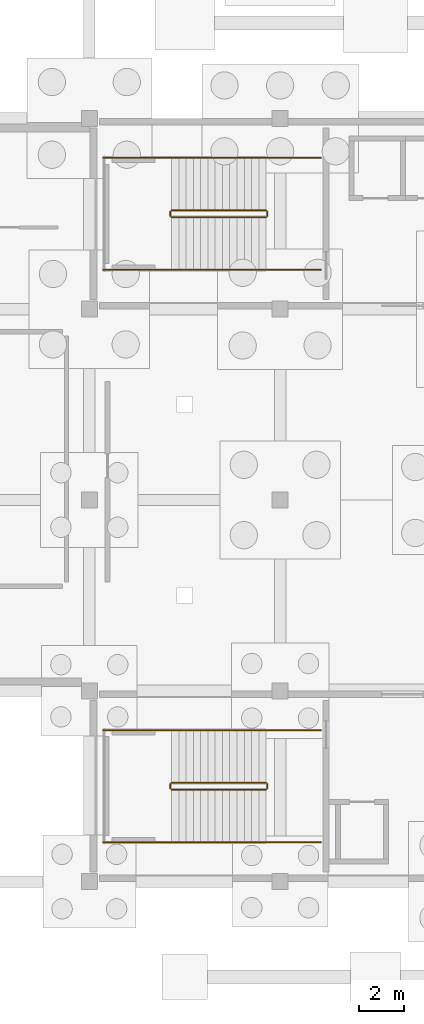
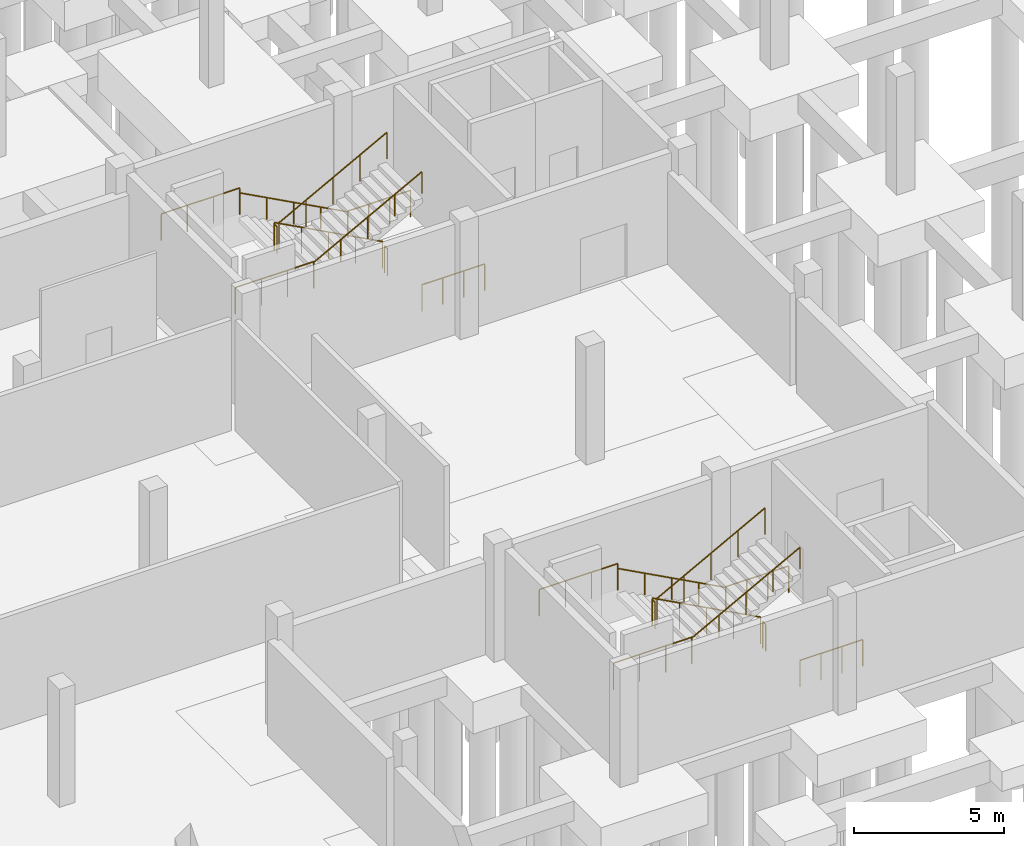
# One storey, part 24 of 24: 20 railings.
"""IFC4 building model written with IfcOpenShell, lengths in metres."""

from ifc_helpers import new_model, si_unit, derived_unit, direction, frame, origin, origin_2d, place, context, subcontext, project, spatial, circle, extrude, material, type_object, element, save


model = new_model("IFC4")

# Units and contexts
model_context = context("Model", 3, precision=1e-05, world=origin(), true_north=direction((0.0, 1.0)))
body_context = subcontext(model_context, "Body", "Model", "MODEL_VIEW")
ifc_project = project(units=[si_unit("LENGTHUNIT", "METRE"), si_unit("AREAUNIT", "SQUARE_METRE"), si_unit("VOLUMEUNIT", "CUBIC_METRE"), si_unit("PLANEANGLEUNIT", "RADIAN"), si_unit("MASSUNIT", "GRAM", prefix="KILO"), derived_unit("THERMALTRANSMITTANCEUNIT", [(si_unit("POWERUNIT", "WATT"), 1), (si_unit("LENGTHUNIT", "METRE"), -2), (si_unit("THERMODYNAMICTEMPERATUREUNIT", "KELVIN"), -1)])], contexts=[model_context])

# Site, building, storey
site_placement = place(None, origin())
site = spatial("IfcSite", under=ifc_project, at=site_placement, CompositionType="ELEMENT")
building_placement = place(site_placement, origin())
building = spatial("IfcBuilding", under=site, at=building_placement, Name="Elbkamm Science Centre", CompositionType="ELEMENT")
storey_placement = place(building_placement, frame((0.0, 0.0, -4.800048828125)))
storey = spatial("IfcBuildingStorey", under=building, at=storey_placement, Name="B01", CompositionType="ELEMENT", Elevation=-4.800048828125)

# Railings
ifc_material = material(Name="Stainless steel EN 1.4401", Category="steel")
railing_type_1 = type_object("IfcRailingType", Name="RAIL-GUARD-1100", PredefinedType="GUARDRAIL", material=ifc_material)
railing_1_placement = place(storey_placement, frame((133.780029296875, 54.75, 0.17138671875)))
element("IfcRailing", 1, at=railing_1_placement, inside=storey, type_object=railing_type_1, Name="B01 ST-C3 stair guard 1", PredefinedType="GUARDRAIL", context=body_context, shape_type="SweptSolid", body=[
    extrude(circle(Radius=0.02392578125, at=origin_2d()), frame((0.0, 0.0, 1.078125), z_axis=(-0.881459204653, 0.0, 0.472260172503), x_axis=(0.0, -1.0, 0.0)), (0.0, 0.0, 1.0), 4.71923828125),
    extrude(circle(Radius=0.02001953125, at=origin_2d()), origin(), (0.0, 0.0, 1.0), 1.048095703125),
    extrude(circle(Radius=0.02001953125, at=origin_2d()), frame((-1.0400390625, 0.0, 0.55712890625)), (0.0, 0.0, 1.0), 1.048095703125),
    extrude(circle(Radius=0.02001953125, at=origin_2d()), frame((-2.080078125, 0.0, 1.1142578125)), (0.0, 0.0, 1.0), 1.048095703125),
    extrude(circle(Radius=0.02001953125, at=origin_2d()), frame((-3.119873046875, 0.0, 1.671630859375)), (0.0, 0.0, 1.0), 1.048095703125),
    extrude(circle(Radius=0.02001953125, at=origin_2d()), frame((-4.159912109375, 0.0, 2.228759765625)), (0.0, 0.0, 1.0), 1.048095703125),
])
railing_2_placement = place(storey_placement, frame((129.570068359375, 54.699951171875, 2.400146484375)))
element("IfcRailing", 2, at=railing_2_placement, inside=storey, type_object=railing_type_1, Name="B01 ST-C3 stair guard 2", PredefinedType="GUARDRAIL", context=body_context, shape_type="SweptSolid", body=[
    extrude(circle(Radius=0.02392578125, at=origin_2d()), frame((0.0, 0.0, 1.078125), z_axis=(0.0, -1.0, 0.0), x_axis=(1.0, 0.0, 0.0)), (0.0, 0.0, 1.0), 0.199951171875),
    extrude(circle(Radius=0.02001953125, at=origin_2d()), origin(), (0.0, 0.0, 1.0), 1.048095703125),
    extrude(circle(Radius=0.02001953125, at=origin_2d()), frame((0.0, -0.199951171875, 0.0)), (0.0, 0.0, 1.0), 1.048095703125),
])
for number, where, name in (
    (3, (129.6201171875, 57.070068359375, 2.400146484375), "B01 ST-C3 stair guard 3"),
    (4, (129.6201171875, 52.1298828125, 2.400146484375), "B01 ST-C3 stair guard 4"),
):
    element("IfcRailing", number, at=place(storey_placement, frame(where)), inside=storey, type_object=railing_type_1, Name=name, PredefinedType="GUARDRAIL", context=body_context, shape_type="SweptSolid", body=[
        extrude(circle(Radius=0.02392578125, at=origin_2d()), frame((0.0, 0.0, 1.078125), z_axis=(-1.0, 0.0, 0.0), x_axis=(0.0, -1.0, 0.0)), (0.0, 0.0, 1.0), 3.02001953125),
        extrude(circle(Radius=0.02001953125, at=origin_2d()), origin(), (0.0, 0.0, 1.0), 1.048095703125),
        extrude(circle(Radius=0.02001953125, at=origin_2d()), frame((-1.006591796875, 0.0, 0.0)), (0.0, 0.0, 1.0), 1.048095703125),
        extrude(circle(Radius=0.02001953125, at=origin_2d()), frame((-2.013427734375, 0.0, 0.0)), (0.0, 0.0, 1.0), 1.048095703125),
        extrude(circle(Radius=0.02001953125, at=origin_2d()), frame((-3.02001953125, 0.0, 0.0)), (0.0, 0.0, 1.0), 1.048095703125),
    ])
railing_3_placement = place(storey_placement, frame((129.6201171875, 54.449951171875, 2.571533203125)))
element("IfcRailing", 5, at=railing_3_placement, inside=storey, type_object=railing_type_1, Name="B01 ST-C3 stair guard 6", PredefinedType="GUARDRAIL", context=body_context, shape_type="SweptSolid", body=[
    extrude(circle(Radius=0.02392578125, at=origin_2d()), frame((0.0, 0.0, 1.078125), z_axis=(0.881480739103, 0.0, 0.472219976908), x_axis=(0.0, 1.0, 0.0)), (0.0, 0.0, 1.0), 4.71923828125),
    extrude(circle(Radius=0.02001953125, at=origin_2d()), origin(), (0.0, 0.0, 1.0), 1.048095703125),
    extrude(circle(Radius=0.02001953125, at=origin_2d()), frame((1.0400390625, 0.0, 0.55712890625)), (0.0, 0.0, 1.0), 1.048095703125),
    extrude(circle(Radius=0.02001953125, at=origin_2d()), frame((2.080078125, 0.0, 1.1142578125)), (0.0, 0.0, 1.0), 1.048095703125),
    extrude(circle(Radius=0.02001953125, at=origin_2d()), frame((3.119873046875, 0.0, 1.67138671875)), (0.0, 0.0, 1.0), 1.048095703125),
    extrude(circle(Radius=0.02001953125, at=origin_2d()), frame((4.159912109375, 0.0, 2.228515625)), (0.0, 0.0, 1.0), 1.048095703125),
])
railing_4_placement = place(storey_placement, frame((133.830078125, 54.699951171875, 0.0)))
element("IfcRailing", 6, at=railing_4_placement, inside=storey, type_object=railing_type_1, Name="B01 ST-C3 stair guard 7", PredefinedType="GUARDRAIL", context=body_context, shape_type="SweptSolid", body=[
    extrude(circle(Radius=0.02392578125, at=origin_2d()), frame((0.0, 0.0, 1.078125), z_axis=(0.0, -1.0, 0.0), x_axis=(1.0, 0.0, 0.0)), (0.0, 0.0, 1.0), 0.199951171875),
    extrude(circle(Radius=0.02001953125, at=origin_2d()), origin(), (0.0, 0.0, 1.0), 1.048095703125),
    extrude(circle(Radius=0.02001953125, at=origin_2d()), frame((0.0, -0.199951171875, 0.0)), (0.0, 0.0, 1.0), 1.048095703125),
])
for number, where, name in (
    (7, (136.199951171875, 57.070068359375, 0.0), "B01 ST-C3 stair guard 8"),
    (8, (136.199951171875, 52.1298828125, 0.0), "B01 ST-C3 stair guard 9"),
):
    element("IfcRailing", number, at=place(storey_placement, frame(where)), inside=storey, type_object=railing_type_1, Name=name, PredefinedType="GUARDRAIL", context=body_context, shape_type="SweptSolid", body=[
        extrude(circle(Radius=0.02392578125, at=origin_2d()), frame((0.0, 0.0, 1.078125), z_axis=(-1.0, 0.0, 0.0), x_axis=(0.0, -1.0, 0.0)), (0.0, 0.0, 1.0), 2.419921875),
        extrude(circle(Radius=0.02001953125, at=origin_2d()), origin(), (0.0, 0.0, 1.0), 1.048095703125),
        extrude(circle(Radius=0.02001953125, at=origin_2d()), frame((-0.806640625, 0.0, 0.0)), (0.0, 0.0, 1.0), 1.048095703125),
        extrude(circle(Radius=0.02001953125, at=origin_2d()), frame((-1.61328125, 0.0, 0.0)), (0.0, 0.0, 1.0), 1.048095703125),
        extrude(circle(Radius=0.02001953125, at=origin_2d()), frame((-2.419921875, 0.0, 0.0)), (0.0, 0.0, 1.0), 1.048095703125),
    ])
railing_5_placement = place(storey_placement, frame((133.780029296875, 29.550048828125, 0.17138671875)))
element("IfcRailing", 9, at=railing_5_placement, inside=storey, type_object=railing_type_1, Name="B01 ST-C4 stair guard 1", PredefinedType="GUARDRAIL", context=body_context, shape_type="SweptSolid", body=[
    extrude(circle(Radius=0.02392578125, at=origin_2d()), frame((0.0, 0.0, 1.078125), z_axis=(-0.881459204653, 0.0, 0.472260172503), x_axis=(0.0, -1.0, 0.0)), (0.0, 0.0, 1.0), 4.71923828125),
    extrude(circle(Radius=0.02001953125, at=origin_2d()), origin(), (0.0, 0.0, 1.0), 1.048095703125),
    extrude(circle(Radius=0.02001953125, at=origin_2d()), frame((-1.0400390625, 0.0, 0.55712890625)), (0.0, 0.0, 1.0), 1.048095703125),
    extrude(circle(Radius=0.02001953125, at=origin_2d()), frame((-2.080078125, 0.0, 1.1142578125)), (0.0, 0.0, 1.0), 1.048095703125),
    extrude(circle(Radius=0.02001953125, at=origin_2d()), frame((-3.119873046875, 0.0, 1.671630859375)), (0.0, 0.0, 1.0), 1.048095703125),
    extrude(circle(Radius=0.02001953125, at=origin_2d()), frame((-4.159912109375, 0.0, 2.228759765625)), (0.0, 0.0, 1.0), 1.048095703125),
])
railing_6_placement = place(storey_placement, frame((129.570068359375, 29.5, 2.400146484375)))
element("IfcRailing", 10, at=railing_6_placement, inside=storey, type_object=railing_type_1, Name="B01 ST-C4 stair guard 2", PredefinedType="GUARDRAIL", context=body_context, shape_type="SweptSolid", body=[
    extrude(circle(Radius=0.02392578125, at=origin_2d()), frame((0.0, 0.0, 1.078125), z_axis=(0.0, -1.0, 0.0), x_axis=(1.0, 0.0, 0.0)), (0.0, 0.0, 1.0), 0.199951171875),
    extrude(circle(Radius=0.02001953125, at=origin_2d()), origin(), (0.0, 0.0, 1.0), 1.048095703125),
    extrude(circle(Radius=0.02001953125, at=origin_2d()), frame((0.0, -0.199951171875, 0.0)), (0.0, 0.0, 1.0), 1.048095703125),
])
for number, where, name in (
    (11, (129.6201171875, 31.8701171875, 2.400146484375), "B01 ST-C4 stair guard 3"),
    (12, (129.6201171875, 26.929931640625, 2.400146484375), "B01 ST-C4 stair guard 4"),
):
    element("IfcRailing", number, at=place(storey_placement, frame(where)), inside=storey, type_object=railing_type_1, Name=name, PredefinedType="GUARDRAIL", context=body_context, shape_type="SweptSolid", body=[
        extrude(circle(Radius=0.02392578125, at=origin_2d()), frame((0.0, 0.0, 1.078125), z_axis=(-1.0, 0.0, 0.0), x_axis=(0.0, -1.0, 0.0)), (0.0, 0.0, 1.0), 3.02001953125),
        extrude(circle(Radius=0.02001953125, at=origin_2d()), origin(), (0.0, 0.0, 1.0), 1.048095703125),
        extrude(circle(Radius=0.02001953125, at=origin_2d()), frame((-1.006591796875, 0.0, 0.0)), (0.0, 0.0, 1.0), 1.048095703125),
        extrude(circle(Radius=0.02001953125, at=origin_2d()), frame((-2.013427734375, 0.0, 0.0)), (0.0, 0.0, 1.0), 1.048095703125),
        extrude(circle(Radius=0.02001953125, at=origin_2d()), frame((-3.02001953125, 0.0, 0.0)), (0.0, 0.0, 1.0), 1.048095703125),
    ])
railing_7_placement = place(storey_placement, frame((129.6201171875, 29.25, 2.571533203125)))
element("IfcRailing", 13, at=railing_7_placement, inside=storey, type_object=railing_type_1, Name="B01 ST-C4 stair guard 6", PredefinedType="GUARDRAIL", context=body_context, shape_type="SweptSolid", body=[
    extrude(circle(Radius=0.02392578125, at=origin_2d()), frame((0.0, 0.0, 1.078125), z_axis=(0.881480739103, 0.0, 0.472219976908), x_axis=(0.0, 1.0, 0.0)), (0.0, 0.0, 1.0), 4.71923828125),
    extrude(circle(Radius=0.02001953125, at=origin_2d()), origin(), (0.0, 0.0, 1.0), 1.048095703125),
    extrude(circle(Radius=0.02001953125, at=origin_2d()), frame((1.0400390625, 0.0, 0.55712890625)), (0.0, 0.0, 1.0), 1.048095703125),
    extrude(circle(Radius=0.02001953125, at=origin_2d()), frame((2.080078125, 0.0, 1.1142578125)), (0.0, 0.0, 1.0), 1.048095703125),
    extrude(circle(Radius=0.02001953125, at=origin_2d()), frame((3.119873046875, 0.0, 1.67138671875)), (0.0, 0.0, 1.0), 1.048095703125),
    extrude(circle(Radius=0.02001953125, at=origin_2d()), frame((4.159912109375, 0.0, 2.228515625)), (0.0, 0.0, 1.0), 1.048095703125),
])
railing_8_placement = place(storey_placement, frame((133.830078125, 29.5, 0.0)))
element("IfcRailing", 14, at=railing_8_placement, inside=storey, type_object=railing_type_1, Name="B01 ST-C4 stair guard 7", PredefinedType="GUARDRAIL", context=body_context, shape_type="SweptSolid", body=[
    extrude(circle(Radius=0.02392578125, at=origin_2d()), frame((0.0, 0.0, 1.078125), z_axis=(0.0, -1.0, 0.0), x_axis=(1.0, 0.0, 0.0)), (0.0, 0.0, 1.0), 0.199951171875),
    extrude(circle(Radius=0.02001953125, at=origin_2d()), origin(), (0.0, 0.0, 1.0), 1.048095703125),
    extrude(circle(Radius=0.02001953125, at=origin_2d()), frame((0.0, -0.199951171875, 0.0)), (0.0, 0.0, 1.0), 1.048095703125),
])
for number, where, name in (
    (15, (136.199951171875, 31.8701171875, 0.0), "B01 ST-C4 stair guard 8"),
    (16, (136.199951171875, 26.929931640625, 0.0), "B01 ST-C4 stair guard 9"),
):
    element("IfcRailing", number, at=place(storey_placement, frame(where)), inside=storey, type_object=railing_type_1, Name=name, PredefinedType="GUARDRAIL", context=body_context, shape_type="SweptSolid", body=[
        extrude(circle(Radius=0.02392578125, at=origin_2d()), frame((0.0, 0.0, 1.078125), z_axis=(-1.0, 0.0, 0.0), x_axis=(0.0, -1.0, 0.0)), (0.0, 0.0, 1.0), 2.419921875),
        extrude(circle(Radius=0.02001953125, at=origin_2d()), origin(), (0.0, 0.0, 1.0), 1.048095703125),
        extrude(circle(Radius=0.02001953125, at=origin_2d()), frame((-0.806640625, 0.0, 0.0)), (0.0, 0.0, 1.0), 1.048095703125),
        extrude(circle(Radius=0.02001953125, at=origin_2d()), frame((-1.61328125, 0.0, 0.0)), (0.0, 0.0, 1.0), 1.048095703125),
        extrude(circle(Radius=0.02001953125, at=origin_2d()), frame((-2.419921875, 0.0, 0.0)), (0.0, 0.0, 1.0), 1.048095703125),
    ])
railing_type_2 = type_object("IfcRailingType", Name="RAIL-HAND-900", PredefinedType="HANDRAIL", material=ifc_material)
railing_9_placement = place(storey_placement, frame((133.780029296875, 57.070068359375, 0.17138671875)))
element("IfcRailing", 17, at=railing_9_placement, inside=storey, type_object=railing_type_2, Name="B01 ST-C3 stair handrail 1", PredefinedType="HANDRAIL", context=body_context, shape_type="SweptSolid", body=[
    extrude(circle(Radius=0.02392578125, at=origin_2d()), frame((0.0, 0.0, 0.8779296875), z_axis=(-0.881459204653, 0.0, 0.472260172503), x_axis=(0.0, -1.0, 0.0)), (0.0, 0.0, 1.0), 4.71923828125),
    extrude(circle(Radius=0.02001953125, at=origin_2d()), origin(), (0.0, 0.0, 1.0), 0.847900390625),
    extrude(circle(Radius=0.02001953125, at=origin_2d()), frame((-1.0400390625, 0.0, 0.55712890625)), (0.0, 0.0, 1.0), 0.847900390625),
    extrude(circle(Radius=0.02001953125, at=origin_2d()), frame((-2.080078125, 0.0, 1.1142578125)), (0.0, 0.0, 1.0), 0.847900390625),
    extrude(circle(Radius=0.02001953125, at=origin_2d()), frame((-3.119873046875, 0.0, 1.671630859375)), (0.0, 0.0, 1.0), 0.847900390625),
    extrude(circle(Radius=0.02001953125, at=origin_2d()), frame((-4.159912109375, 0.0, 2.228759765625)), (0.0, 0.0, 1.0), 0.847900390625),
])
railing_10_placement = place(storey_placement, frame((129.6201171875, 52.1298828125, 2.571533203125)))
element("IfcRailing", 18, at=railing_10_placement, inside=storey, type_object=railing_type_2, Name="B01 ST-C3 stair handrail 2", PredefinedType="HANDRAIL", context=body_context, shape_type="SweptSolid", body=[
    extrude(circle(Radius=0.02392578125, at=origin_2d()), frame((0.0, 0.0, 0.8779296875), z_axis=(0.881480739103, 0.0, 0.472219976908), x_axis=(0.0, 1.0, 0.0)), (0.0, 0.0, 1.0), 4.71923828125),
    extrude(circle(Radius=0.02001953125, at=origin_2d()), origin(), (0.0, 0.0, 1.0), 0.847900390625),
    extrude(circle(Radius=0.02001953125, at=origin_2d()), frame((1.0400390625, 0.0, 0.55712890625)), (0.0, 0.0, 1.0), 0.847900390625),
    extrude(circle(Radius=0.02001953125, at=origin_2d()), frame((2.080078125, 0.0, 1.1142578125)), (0.0, 0.0, 1.0), 0.847900390625),
    extrude(circle(Radius=0.02001953125, at=origin_2d()), frame((3.119873046875, 0.0, 1.67138671875)), (0.0, 0.0, 1.0), 0.847900390625),
    extrude(circle(Radius=0.02001953125, at=origin_2d()), frame((4.159912109375, 0.0, 2.228515625)), (0.0, 0.0, 1.0), 0.847900390625),
])
railing_11_placement = place(storey_placement, frame((133.780029296875, 31.8701171875, 0.17138671875)))
element("IfcRailing", 19, at=railing_11_placement, inside=storey, type_object=railing_type_2, Name="B01 ST-C4 stair handrail 1", PredefinedType="HANDRAIL", context=body_context, shape_type="SweptSolid", body=[
    extrude(circle(Radius=0.02392578125, at=origin_2d()), frame((0.0, 0.0, 0.8779296875), z_axis=(-0.881459204653, 0.0, 0.472260172503), x_axis=(0.0, -1.0, 0.0)), (0.0, 0.0, 1.0), 4.71923828125),
    extrude(circle(Radius=0.02001953125, at=origin_2d()), origin(), (0.0, 0.0, 1.0), 0.847900390625),
    extrude(circle(Radius=0.02001953125, at=origin_2d()), frame((-1.0400390625, 0.0, 0.55712890625)), (0.0, 0.0, 1.0), 0.847900390625),
    extrude(circle(Radius=0.02001953125, at=origin_2d()), frame((-2.080078125, 0.0, 1.1142578125)), (0.0, 0.0, 1.0), 0.847900390625),
    extrude(circle(Radius=0.02001953125, at=origin_2d()), frame((-3.119873046875, 0.0, 1.671630859375)), (0.0, 0.0, 1.0), 0.847900390625),
    extrude(circle(Radius=0.02001953125, at=origin_2d()), frame((-4.159912109375, 0.0, 2.228759765625)), (0.0, 0.0, 1.0), 0.847900390625),
])
railing_12_placement = place(storey_placement, frame((129.6201171875, 26.929931640625, 2.571533203125)))
element("IfcRailing", 20, at=railing_12_placement, inside=storey, type_object=railing_type_2, Name="B01 ST-C4 stair handrail 2", PredefinedType="HANDRAIL", context=body_context, shape_type="SweptSolid", body=[
    extrude(circle(Radius=0.02392578125, at=origin_2d()), frame((0.0, 0.0, 0.8779296875), z_axis=(0.881480739103, 0.0, 0.472219976908), x_axis=(0.0, 1.0, 0.0)), (0.0, 0.0, 1.0), 4.71923828125),
    extrude(circle(Radius=0.02001953125, at=origin_2d()), origin(), (0.0, 0.0, 1.0), 0.847900390625),
    extrude(circle(Radius=0.02001953125, at=origin_2d()), frame((1.0400390625, 0.0, 0.55712890625)), (0.0, 0.0, 1.0), 0.847900390625),
    extrude(circle(Radius=0.02001953125, at=origin_2d()), frame((2.080078125, 0.0, 1.1142578125)), (0.0, 0.0, 1.0), 0.847900390625),
    extrude(circle(Radius=0.02001953125, at=origin_2d()), frame((3.119873046875, 0.0, 1.67138671875)), (0.0, 0.0, 1.0), 0.847900390625),
    extrude(circle(Radius=0.02001953125, at=origin_2d()), frame((4.159912109375, 0.0, 2.228515625)), (0.0, 0.0, 1.0), 0.847900390625),
])

save(model, "model.ifc")
